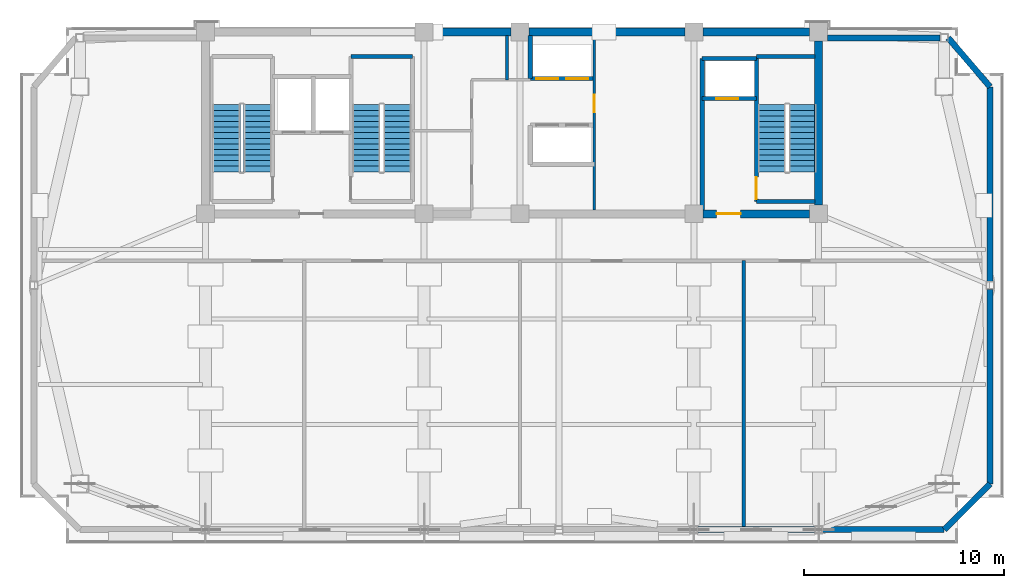
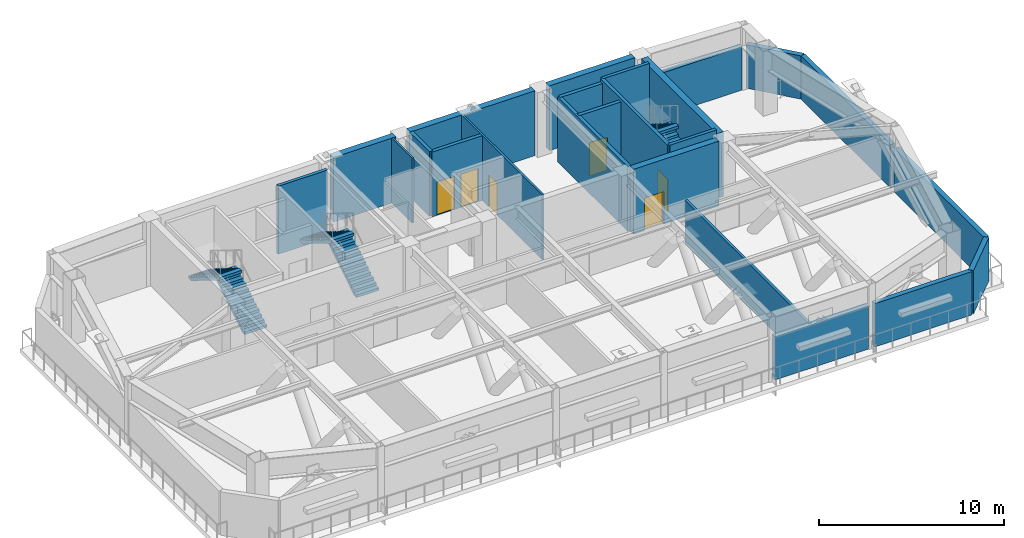
# One storey, part 4 of 7: 24 walls, 6 doors, 6 stair flights, 6 openings, 3 elements without a shape of their own.
"""IFC4 building model written with IfcOpenShell, lengths in metres."""

from ifc_helpers import new_model, si_unit, direction, frame, frame_2d, origin, place, context, subcontext, project, spatial, polyline, rectangle, outline, extrude, source, transform, mapped, material, layer, layer_set, type_object, element, fill, aggregate, save


model = new_model("IFC4")

# Units and contexts
model_context = context("Model", 3, precision=1e-05, world=origin(), true_north=direction((0.0, 1.0)))
body_context = subcontext(model_context, "Body", "Model", "MODEL_VIEW")
ifc_project = project(units=[si_unit("LENGTHUNIT", "METRE"), si_unit("AREAUNIT", "SQUARE_METRE"), si_unit("VOLUMEUNIT", "CUBIC_METRE"), si_unit("PLANEANGLEUNIT", "RADIAN"), si_unit("MASSUNIT", "GRAM", prefix="KILO")], contexts=[model_context])

# Site, building, storey
site_placement = place(None, origin())
site = spatial("IfcSite", under=ifc_project, at=site_placement, CompositionType="ELEMENT")
building_placement = place(site_placement, origin())
building = spatial("IfcBuilding", under=site, at=building_placement, Name="Giltprow Tower", CompositionType="ELEMENT")
storey_placement = place(building_placement, frame((0.0, 0.0, 327.800048828125)))
storey = spatial("IfcBuildingStorey", under=building, at=storey_placement, Name="L85", CompositionType="ELEMENT", Elevation=327.800048828125)

# Walls
ifc_material_1 = material(Name="Precast concrete C40", Category="concrete")
ifc_layer_1 = layer(ifc_material_1, 0.300048828125, Name="Precast concrete C40")
ifc_layer_set_1 = layer_set([ifc_layer_1], Name="Precast concrete C40")
wall_type_1 = type_object("IfcWallType", Name="EW-NOTCH-CHAMFER-300", PredefinedType="SOLIDWALL", material=ifc_layer_set_1)
wall_1_placement = place(storey_placement, frame((56.839111328125, 21.635986328125, 0.0), z_axis=(0.0, 0.0, 1.0), x_axis=(0.707106781187, 0.707106781187, 0.0)))
element("IfcWall", 1, at=wall_1_placement, inside=storey, type_object=wall_type_1, Name="L85 Corner Notch Wall SE", PredefinedType="SOLIDWALL", context=body_context, shape_type="SweptSolid", body=[
    extrude(rectangle(XDim=3.241455078125, YDim=0.300048828125, at=frame_2d((1.62060546875, 0.0))), origin(), (0.0, 0.0, 1.0), 2.864990234375),
])
wall_2_placement = place(storey_placement, frame((59.131103515625, 43.80810546875, 0.0), z_axis=(0.0, 0.0, 1.0), x_axis=(-0.650610025707, 0.759412005732, 0.0)))
element("IfcWall", 2, at=wall_2_placement, inside=storey, type_object=wall_type_1, Name="L85 Corner Notch Wall NE", PredefinedType="SOLIDWALL", context=body_context, shape_type="SweptSolid", body=[
    extrude(rectangle(XDim=3.215576171875, YDim=0.300048828125, at=frame_2d((1.60791015625, 0.0))), origin(), (0.0, 0.0, 1.0), 2.864990234375),
])
ifc_layer_2 = layer(ifc_material_1, 0.300048828125, Name="Precast concrete C40")
ifc_layer_set_2 = layer_set([ifc_layer_2], Name="Precast concrete C40")
wall_type_2 = type_object("IfcWallType", Name="EW-REF-LOUVRE-300", PredefinedType="SOLIDWALL", material=ifc_layer_set_2)
wall_3_placement = place(storey_placement, frame((44.5, 21.635986328125, 0.0), z_axis=(0.0, 0.0, 1.0), x_axis=(1.0, 0.0, 0.0)))
element("IfcWall", 3, at=wall_3_placement, inside=storey, type_object=wall_type_2, Name="L85 South Expressed Frame Wall 5", PredefinedType="SOLIDWALL", context=body_context, shape_type="SweptSolid", body=[
    extrude(rectangle(XDim=5.85009765625, YDim=0.300048828125, at=frame_2d((2.925048828125, 0.0))), origin(), (0.0, 0.0, 1.0), 2.864990234375),
])
wall_4_placement = place(storey_placement, frame((50.75, 21.635986328125, 0.0), z_axis=(0.0, 0.0, 1.0), x_axis=(1.0, 0.0, 0.0)))
element("IfcWall", 4, at=wall_4_placement, inside=storey, type_object=wall_type_2, Name="L85 South Expressed Frame Wall 6", PredefinedType="SOLIDWALL", context=body_context, shape_type="SweptSolid", body=[
    extrude(rectangle(XDim=6.089111328125, YDim=0.300048828125, at=frame_2d((3.04443359375, 0.0))), origin(), (0.0, 0.0, 1.0), 2.864990234375),
])
for number, where, z_axis, x_axis, name in (
    (5, (59.131103515625, 23.927978515625, 0.0), (0.0, 0.0, 1.0), (0.0, 1.0, 0.0), "L85 E Wing Masonry Wall 1"),
    (6, (59.131103515625, 34.068115234375, 0.0), (0.0, 0.0, 1.0), (0.0, 1.0, 0.0), "L85 E Wing Masonry Wall 2"),
):
    element("IfcWall", number, at=place(storey_placement, frame(where, z_axis=z_axis, x_axis=x_axis)), inside=storey, type_object=wall_type_2, Name=name, PredefinedType="SOLIDWALL", context=body_context, shape_type="SweptSolid", body=[
        extrude(rectangle(XDim=9.739990234375, YDim=0.300048828125, at=frame_2d((4.8701171875, 0.0))), origin(), (0.0, 0.0, 1.0), 2.864990234375),
    ])
wall_5_placement = place(storey_placement, frame((51.0, 46.25, 0.0), z_axis=(0.0, 0.0, 1.0), x_axis=(1.0, 0.0, 0.0)))
element("IfcWall", 7, at=wall_5_placement, inside=storey, type_object=wall_type_2, Name="L85 North-East Wing Wall", PredefinedType="SOLIDWALL", context=body_context, shape_type="SweptSolid", body=[
    extrude(rectangle(XDim=5.638916015625, YDim=0.300048828125, at=frame_2d((2.8193359375, 0.0))), origin(), (0.0, 0.0, 1.0), 2.864990234375),
])
ifc_material_2 = material(Name="Gypsum stud partition", Category="gypsum")
ifc_layer_3 = layer(ifc_material_2, 0.159912109375, Name="Gypsum stud partition")
ifc_layer_set_3 = layer_set([ifc_layer_3], Name="Gypsum stud partition")
wall_type_3 = type_object("IfcWallType", Name="IW-DEMISE-160", PredefinedType="PARTITIONING", material=ifc_layer_set_3)
wall_6_placement = place(storey_placement, frame((46.800048828125, 21.635986328125, 0.0), z_axis=(0.0, 0.0, 1.0), x_axis=(0.0, 1.0, 0.0)))
element("IfcWall", 8, at=wall_6_placement, inside=storey, type_object=wall_type_3, Name="L85 Refuge Compartment Wall 3", PredefinedType="PARTITIONING", context=body_context, shape_type="SweptSolid", body=[
    extrude(rectangle(XDim=13.464111328125, YDim=0.159912109375, at=frame_2d((6.73193359375, 0.0))), origin(), (0.0, 0.0, 1.0), 2.869873046875),
])

# Wall, opening, door
ifc_material_3 = material(Name="Concrete C40", Category="concrete")
ifc_layer_4 = layer(ifc_material_3, 0.219970703125, Name="Concrete C40")
ifc_layer_set_4 = layer_set([ifc_layer_4], Name="Concrete C40")
wall_type_4 = type_object("IfcWallType", Name="IW-SHAFT-220", PredefinedType="SOLIDWALL", material=ifc_layer_set_4)
wall_7_placement = place(storey_placement, frame((44.719970703125, 43.219970703125, 0.0), z_axis=(0.0, 0.0, 1.0), x_axis=(1.0, 0.0, 0.0)))
wall_7 = element("IfcWall", 9, at=wall_7_placement, inside=storey, type_object=wall_type_4, Name="L85 FFL2 Front Shaft Wall", PredefinedType="SOLIDWALL", context=body_context, shape_type="SweptSolid", body=[
    extrude(rectangle(XDim=2.719970703125, YDim=0.219970703125, at=frame_2d((1.35986328125, 0.0))), origin(), (0.0, 0.0, 1.0), 4.284912109375),
])
opening_1_placement = place(wall_7_placement, frame((0.699951171875, 0.0, 0.0)))
opening_1 = element("IfcOpeningElement", 10, at=opening_1_placement, cuts=wall_7, Name="Opening LD-11", PredefinedType="OPENING", context=body_context, shape_type="SweptSolid", body=[
    extrude(rectangle(XDim=1.10009765625, YDim=2.199951171875, at=frame_2d((0.550048828125, 1.10009765625))), frame((0.0, 0.119873046875, 0.0), z_axis=(0.0, -1.0, 0.0), x_axis=(1.0, 0.0, 0.0)), (0.0, 0.0, 1.0), 0.239990234375),
])
ifc_material_4 = material(Name="Stainless steel", Category="steel")
door_type_1 = type_object("IfcDoorType", Name="DR-LIFT-LD1100", OperationType="SLIDING_TO_LEFT", PredefinedType="DOOR", material=ifc_material_4)
shared_shape_1 = source(origin(), body_context, "Body", "SweptSolid", [
    extrude(rectangle(XDim=1.10009765625, YDim=2.199951171875, at=frame_2d((0.550048828125, 1.10009765625))), frame((0.0, 0.02490234375, 0.0), z_axis=(0.0, -1.0, 0.0), x_axis=(1.0, 0.0, 0.0)), (0.0, 0.0, 1.0), 0.050048828125),
])
door_1_placement = place(opening_1_placement, origin())
door_1 = element("IfcDoor", 11, at=door_1_placement, inside=storey, type_object=door_type_1, Name="L85 FFL2 Landing Door", OperationType="SLIDING_TO_LEFT", OverallHeight=2.199951171875, OverallWidth=1.10009765625, PredefinedType="DOOR", context=body_context, shape_type="MappedRepresentation", body=[
    mapped(shared_shape_1, transform((0.0, 0.0, 0.0), x_axis=(1.0, 0.0, 0.0), y_axis=(0.0, 1.0, 0.0), z_axis=(0.0, 0.0, 1.0), scale=1.0)),
])
fill(opening_1, door_1)

# Walls
wall_8_placement = place(storey_placement, frame((44.719970703125, 45.219970703125, 0.0), z_axis=(0.0, 0.0, 1.0), x_axis=(1.0, 0.0, 0.0)))
element("IfcWall", 12, at=wall_8_placement, inside=storey, type_object=wall_type_4, Name="L85 FFL2 Back Shaft Wall", PredefinedType="SOLIDWALL", context=body_context, shape_type="SweptSolid", body=[
    extrude(rectangle(XDim=2.719970703125, YDim=0.219970703125, at=frame_2d((1.35986328125, 0.0))), origin(), (0.0, 0.0, 1.0), 4.284912109375),
])
wall_9_placement = place(storey_placement, frame((44.719970703125, 37.6298828125, 0.0), z_axis=(0.0, 0.0, 1.0), x_axis=(0.0, 1.0, 0.0)))
element("IfcWall", 13, at=wall_9_placement, inside=storey, type_object=wall_type_4, Name="L85 East Firefighting Lobby West Wall", PredefinedType="SOLIDWALL", context=body_context, shape_type="SweptSolid", body=[
    extrude(rectangle(XDim=7.590087890625, YDim=0.219970703125, at=frame_2d((3.794921875, 0.0))), origin(), (0.0, 0.0, 1.0), 4.284912109375),
])

# Wall, openings, doors
wall_10_placement = place(storey_placement, frame((36.1201171875, 44.219970703125, 0.0), z_axis=(0.0, 0.0, 1.0), x_axis=(1.0, 0.0, 0.0)))
wall_10 = element("IfcWall", 14, at=wall_10_placement, inside=storey, type_object=wall_type_4, Name="L85 High-Rise Lift Shaft Front Wall N", PredefinedType="SOLIDWALL", context=body_context, shape_type="SweptSolid", body=[
    extrude(rectangle(XDim=3.199951171875, YDim=0.219970703125, at=frame_2d((1.60009765625, 0.0))), origin(), (0.0, 0.0, 1.0), 4.284912109375),
])
opening_2_placement = place(wall_10_placement, frame((0.300048828125, 0.0, 0.0)))
opening_2 = element("IfcOpeningElement", 15, at=opening_2_placement, cuts=wall_10, Name="Opening LD-11", PredefinedType="OPENING", context=body_context, shape_type="SweptSolid", body=[
    extrude(rectangle(XDim=1.10009765625, YDim=2.199951171875, at=frame_2d((0.550048828125, 1.10009765625))), frame((0.0, 0.119873046875, 0.0), z_axis=(0.0, -1.0, 0.0), x_axis=(1.0, 0.0, 0.0)), (0.0, 0.0, 1.0), 0.239990234375),
])
opening_3_placement = place(wall_10_placement, frame((1.7900390625, 0.0, 0.0)))
opening_3 = element("IfcOpeningElement", 16, at=opening_3_placement, cuts=wall_10, Name="Opening LD-11", PredefinedType="OPENING", context=body_context, shape_type="SweptSolid", body=[
    extrude(rectangle(XDim=1.10009765625, YDim=2.199951171875, at=frame_2d((0.550048828125, 1.10009765625))), frame((0.0, 0.119873046875, 0.0), z_axis=(0.0, -1.0, 0.0), x_axis=(1.0, 0.0, 0.0)), (0.0, 0.0, 1.0), 0.239990234375),
])
door_2_placement = place(opening_2_placement, origin())
door_2 = element("IfcDoor", 17, at=door_2_placement, inside=storey, type_object=door_type_1, Name="L85 PL-H1 Landing Door", OperationType="SLIDING_TO_LEFT", OverallHeight=2.199951171875, OverallWidth=1.10009765625, PredefinedType="DOOR", context=body_context, shape_type="MappedRepresentation", body=[
    mapped(shared_shape_1, transform((0.0, 0.0, 0.0), x_axis=(1.0, 0.0, 0.0), y_axis=(0.0, 1.0, 0.0), z_axis=(0.0, 0.0, 1.0), scale=1.0)),
])
fill(opening_2, door_2)
door_3_placement = place(opening_3_placement, origin())
door_3 = element("IfcDoor", 18, at=door_3_placement, inside=storey, type_object=door_type_1, Name="L85 PL-H2 Landing Door", OperationType="SLIDING_TO_LEFT", OverallHeight=2.199951171875, OverallWidth=1.10009765625, PredefinedType="DOOR", context=body_context, shape_type="MappedRepresentation", body=[
    mapped(shared_shape_1, transform((0.0, 0.0, 0.0), x_axis=(1.0, 0.0, 0.0), y_axis=(0.0, 1.0, 0.0), z_axis=(0.0, 0.0, 1.0), scale=1.0)),
])
fill(opening_3, door_3)

# Walls
wall_11_placement = place(storey_placement, frame((36.1201171875, 44.219970703125, 0.0), z_axis=(0.0, 0.0, 1.0), x_axis=(0.0, 1.0, 0.0)))
element("IfcWall", 19, at=wall_11_placement, inside=storey, type_object=wall_type_4, Name="L85 High-Rise North Lift West Closure", PredefinedType="SOLIDWALL", context=body_context, shape_type="SweptSolid", body=[
    extrude(rectangle(XDim=2.150146484375, YDim=0.219970703125, at=frame_2d((1.0751953125, 0.0))), origin(), (0.0, 0.0, 1.0), 4.284912109375),
])
ifc_layer_5 = layer(ifc_material_3, 0.199951171875, Name="Concrete C40")
ifc_layer_set_5 = layer_set([ifc_layer_5], Name="Concrete C40")
wall_type_5 = type_object("IfcWallType", Name="IW-STAIR-200", PredefinedType="SOLIDWALL", material=ifc_layer_set_5)
wall_12_placement = place(storey_placement, frame((27.139892578125, 45.320068359375, 0.0), z_axis=(0.0, 0.0, 1.0), x_axis=(1.0, 0.0, 0.0)))
element("IfcWall", 20, at=wall_12_placement, inside=storey, type_object=wall_type_5, Name="L85 Stair ST-2 North Bearing Wall", PredefinedType="SOLIDWALL", context=body_context, shape_type="SweptSolid", body=[
    extrude(rectangle(XDim=3.080078125, YDim=0.199951171875, at=frame_2d((1.5400390625, 0.0))), origin(), (0.0, 0.0, 1.0), 4.5),
])

# Wall, opening, door
wall_13_placement = place(storey_placement, frame((47.43994140625, 38.070068359375, 0.0), z_axis=(0.0, 0.0, 1.0), x_axis=(0.0, 1.0, 0.0)))
wall_13 = element("IfcWall", 21, at=wall_13_placement, inside=storey, type_object=wall_type_5, Name="L85 Stair ST-3 West Bearing Wall", PredefinedType="SOLIDWALL", context=body_context, shape_type="SweptSolid", body=[
    extrude(rectangle(XDim=7.25, YDim=0.199951171875, at=frame_2d((3.625, 0.0))), origin(), (0.0, 0.0, 1.0), 4.5),
])
opening_4_placement = place(wall_13_placement, frame((0.110107421875, 0.0, 0.0)))
opening_4 = element("IfcOpeningElement", 22, at=opening_4_placement, cuts=wall_13, Name="Opening ID33", PredefinedType="OPENING", context=body_context, shape_type="SweptSolid", body=[
    extrude(rectangle(XDim=1.10009765625, YDim=2.14990234375, at=frame_2d((0.550048828125, 1.074951171875))), frame((0.0, 0.10986328125, 0.0), z_axis=(0.0, -1.0, 0.0), x_axis=(1.0, 0.0, 0.0)), (0.0, 0.0, 1.0), 0.219970703125),
])
ifc_material_5 = material(Name="Steel fire leaf", Category="steel")
door_type_2 = type_object("IfcDoorType", Name="DR-STAIR-1100", OperationType="SINGLE_SWING_LEFT", PredefinedType="DOOR", material=ifc_material_5)
shared_shape_2 = source(origin(), body_context, "Body", "SweptSolid", [
    extrude(rectangle(XDim=1.10009765625, YDim=2.14990234375, at=frame_2d((0.550048828125, 1.074951171875))), frame((0.0, 0.02490234375, 0.0), z_axis=(0.0, -1.0, 0.0), x_axis=(1.0, 0.0, 0.0)), (0.0, 0.0, 1.0), 0.050048828125),
])
door_4_placement = place(opening_4_placement, origin())
door_4 = element("IfcDoor", 23, at=door_4_placement, inside=storey, type_object=door_type_2, Name="L85 Stair ST-3 Fire Door", OperationType="SINGLE_SWING_RIGHT", OverallHeight=2.14990234375, OverallWidth=1.10009765625, PredefinedType="DOOR", context=body_context, shape_type="MappedRepresentation", body=[
    mapped(shared_shape_2, transform((0.0, 0.0, 0.0), x_axis=(1.0, 0.0, 0.0), y_axis=(0.0, 1.0, 0.0), z_axis=(0.0, 0.0, 1.0), scale=1.0)),
])
fill(opening_4, door_4)

# Walls
for number, where, z_axis, x_axis, name in (
    (24, (47.43994140625, 45.320068359375, 0.0), (0.0, 0.0, 1.0), (1.0, 0.0, 0.0), "L85 Stair ST-3 North Bearing Wall"),
    (25, (47.43994140625, 38.070068359375, 0.0), (0.0, 0.0, 1.0), (1.0, 0.0, 0.0), "L85 Stair ST-3 South Bearing Wall"),
):
    element("IfcWall", number, at=place(storey_placement, frame(where, z_axis=z_axis, x_axis=x_axis)), inside=storey, type_object=wall_type_5, Name=name, PredefinedType="SOLIDWALL", context=body_context, shape_type="SweptSolid", body=[
        extrude(rectangle(XDim=2.93017578125, YDim=0.199951171875, at=frame_2d((1.465087890625, 0.0))), origin(), (0.0, 0.0, 1.0), 4.5),
    ])
ifc_material_6 = material(Name="Concrete C30", Category="concrete")
ifc_layer_6 = layer(ifc_material_6, 0.1298828125, Name="Concrete C30")
ifc_layer_set_6 = layer_set([ifc_layer_6], Name="Concrete C30")
wall_type_6 = type_object("IfcWallType", Name="IW-WET-130", PredefinedType="PARTITIONING", material=ifc_layer_set_6)
wall_14_placement = place(storey_placement, frame((34.949951171875, 44.14990234375, 0.0), z_axis=(0.0, 0.0, 1.0), x_axis=(0.0, 1.0, 0.0)))
element("IfcWall", 26, at=wall_14_placement, inside=storey, type_object=wall_type_6, Name="L85 Reclaimed West Pocket Wall E", PredefinedType="PARTITIONING", context=body_context, shape_type="SweptSolid", body=[
    extrude(rectangle(XDim=2.22021484375, YDim=0.1298828125, at=frame_2d((1.110107421875, 0.0))), origin(), (0.0, 0.0, 1.0), 4.284912109375),
])

# Wall, opening, door
wall_15_placement = place(storey_placement, frame((39.320068359375, 37.6298828125, 0.0), z_axis=(0.0, 0.0, 1.0), x_axis=(0.0, 1.0, 0.0)))
wall_15 = element("IfcWall", 27, at=wall_15_placement, inside=storey, type_object=wall_type_6, Name="L85 Reclaimed East Core Wall", PredefinedType="PARTITIONING", context=body_context, shape_type="SweptSolid", body=[
    extrude(rectangle(XDim=8.740234375, YDim=0.1298828125, at=frame_2d((4.3701171875, 0.0))), origin(), (0.0, 0.0, 1.0), 4.284912109375),
])
opening_5_placement = place(wall_15_placement, frame((4.889892578125, 0.0, 0.0)))
opening_5 = element("IfcOpeningElement", 28, at=opening_5_placement, cuts=wall_15, Name="Opening ID35", PredefinedType="OPENING", context=body_context, shape_type="SweptSolid", body=[
    extrude(rectangle(XDim=0.89990234375, YDim=2.10009765625, at=frame_2d((0.449951171875, 1.050048828125))), frame((0.0, 0.074951171875, 0.0), z_axis=(0.0, -1.0, 0.0), x_axis=(1.0, 0.0, 0.0)), (0.0, 0.0, 1.0), 0.14990234375),
])
door_type_3 = type_object("IfcDoorType", Name="DR-SHAFT-900", OperationType="SINGLE_SWING_LEFT", PredefinedType="DOOR", material=ifc_material_5)
shared_shape_3 = source(origin(), body_context, "Body", "SweptSolid", [
    extrude(rectangle(XDim=0.89990234375, YDim=2.10009765625, at=frame_2d((0.449951171875, 1.050048828125))), frame((0.0, 0.02490234375, 0.0), z_axis=(0.0, -1.0, 0.0), x_axis=(1.0, 0.0, 0.0)), (0.0, 0.0, 1.0), 0.050048828125),
])
door_5_placement = place(opening_5_placement, origin())
door_5 = element("IfcDoor", 29, at=door_5_placement, inside=storey, type_object=door_type_3, Name="L85 Core Cold Delivery Store Door", OperationType="SINGLE_SWING_LEFT", OverallHeight=2.10009765625, OverallWidth=0.89990234375, PredefinedType="DOOR", context=body_context, shape_type="MappedRepresentation", body=[
    mapped(shared_shape_3, transform((0.0, 0.0, 0.0), x_axis=(1.0, 0.0, 0.0), y_axis=(0.0, 1.0, 0.0), z_axis=(0.0, 0.0, 1.0), scale=1.0)),
])
fill(opening_5, door_5)

# Walls
ifc_material_7 = material(Name="Concrete C45", Category="concrete")
ifc_layer_7 = layer(ifc_material_7, 0.39990234375, Name="Concrete C45")
ifc_layer_set_7 = layer_set([ifc_layer_7], Name="Concrete C45")
wall_type_7 = type_object("IfcWallType", Name="SW-EXT-400-C45", PredefinedType="SHEAR", material=ifc_layer_set_7)
wall_16_placement = place(storey_placement, frame((31.25, 46.550048828125, 0.0), z_axis=(0.0, 0.0, 1.0), x_axis=(1.0, 0.0, 0.0)))
element("IfcWall", 30, at=wall_16_placement, inside=storey, type_object=wall_type_7, Name="L85 North Rear Core Shear Wall 2", PredefinedType="SHEAR", context=body_context, shape_type="SweptSolid", body=[
    extrude(rectangle(XDim=3.89990234375, YDim=0.39990234375, at=frame_2d((1.949951171875, 0.0))), origin(), (0.0, 0.0, 1.0), 4.284912109375),
])
wall_17_placement = place(storey_placement, frame((36.050048828125, 46.550048828125, 0.0), z_axis=(0.0, 0.0, 1.0), x_axis=(1.0, 0.0, 0.0)))
element("IfcWall", 31, at=wall_17_placement, inside=storey, type_object=wall_type_7, Name="L85 North Rear Core Shear Wall 3", PredefinedType="SHEAR", context=body_context, shape_type="SweptSolid", body=[
    extrude(rectangle(XDim=7.800048828125, YDim=0.39990234375, at=frame_2d((3.89990234375, 0.0))), origin(), (0.0, 0.0, 1.0), 4.284912109375),
])
wall_18_placement = place(storey_placement, frame((44.75, 46.550048828125, 0.0), z_axis=(0.0, 0.0, 1.0), x_axis=(1.0, 0.0, 0.0)))
element("IfcWall", 32, at=wall_18_placement, inside=storey, type_object=wall_type_7, Name="L85 North Rear Core Shear Wall 4", PredefinedType="SHEAR", context=body_context, shape_type="SweptSolid", body=[
    extrude(rectangle(XDim=5.35009765625, YDim=0.39990234375, at=frame_2d((2.675048828125, 0.0))), origin(), (0.0, 0.0, 1.0), 4.284912109375),
])

# Wall, opening, door
ifc_layer_8 = layer(ifc_material_7, 0.39990234375, Name="Concrete C45")
ifc_layer_set_8 = layer_set([ifc_layer_8], Name="Concrete C45")
wall_type_8 = type_object("IfcWallType", Name="SW-INT-400-C45", PredefinedType="SHEAR", material=ifc_layer_set_8)
wall_19_placement = place(storey_placement, frame((44.75, 37.449951171875, 0.0), z_axis=(0.0, 0.0, 1.0), x_axis=(1.0, 0.0, 0.0)))
wall_19 = element("IfcWall", 33, at=wall_19_placement, inside=storey, type_object=wall_type_8, Name="L85 South Rear Core Shear Wall East", PredefinedType="SHEAR", context=body_context, shape_type="SweptSolid", body=[
    extrude(rectangle(XDim=5.35009765625, YDim=0.39990234375, at=frame_2d((2.675048828125, 0.0))), origin(), (0.0, 0.0, 1.0), 4.284912109375),
])
opening_6_placement = place(wall_19_placement, frame((0.699951171875, 0.0, 0.0)))
opening_6 = element("IfcOpeningElement", 34, at=opening_6_placement, cuts=wall_19, Name="Opening ID19", PredefinedType="OPENING", context=body_context, shape_type="SweptSolid", body=[
    extrude(rectangle(XDim=1.199951171875, YDim=2.14990234375, at=frame_2d((0.60009765625, 1.074951171875))), frame((0.0, 0.2099609375, 0.0), z_axis=(0.0, -1.0, 0.0), x_axis=(1.0, 0.0, 0.0)), (0.0, 0.0, 1.0), 0.419921875),
])
door_type_4 = type_object("IfcDoorType", Name="DR-FFLOBBY-1200", OperationType="SINGLE_SWING_RIGHT", PredefinedType="DOOR", material=ifc_material_5)
shared_shape_4 = source(origin(), body_context, "Body", "SweptSolid", [
    extrude(rectangle(XDim=1.199951171875, YDim=2.14990234375, at=frame_2d((0.60009765625, 1.074951171875))), frame((0.0, 0.02490234375, 0.0), z_axis=(0.0, -1.0, 0.0), x_axis=(1.0, 0.0, 0.0)), (0.0, 0.0, 1.0), 0.050048828125),
])
door_6_placement = place(opening_6_placement, origin())
door_6 = element("IfcDoor", 35, at=door_6_placement, inside=storey, type_object=door_type_4, Name="L85 East Firefighting Lobby Entry Door", OperationType="SINGLE_SWING_RIGHT", OverallHeight=2.14990234375, OverallWidth=1.199951171875, PredefinedType="DOOR", context=body_context, shape_type="MappedRepresentation", body=[
    mapped(shared_shape_4, transform((0.0, 0.0, 0.0), x_axis=(1.0, 0.0, 0.0), y_axis=(0.0, 1.0, 0.0), z_axis=(0.0, 0.0, 1.0), scale=1.0)),
])
fill(opening_6, door_6)

# Wall
wall_20_placement = place(storey_placement, frame((50.550048828125, 37.89990234375, 0.0), z_axis=(0.0, 0.0, 1.0), x_axis=(0.0, 1.0, 0.0)))
element("IfcWall", 36, at=wall_20_placement, inside=storey, type_object=wall_type_8, Name="L85 E Rear Core Shear Wall", PredefinedType="SHEAR", context=body_context, shape_type="SweptSolid", body=[
    extrude(rectangle(XDim=8.2001953125, YDim=0.39990234375, at=frame_2d((4.10009765625, 0.0))), origin(), (0.0, 0.0, 1.0), 4.284912109375),
])

# Stair, stair flights
stair_type_1 = type_object("IfcStairType", Name="STR-ST-1", PredefinedType="HALF_TURN_STAIR", material=ifc_material_3)
stair_1_placement = place(storey_placement, origin())
stair_1 = element("IfcStair", 37, at=stair_1_placement, inside=storey, type_object=stair_type_1, Name="L85 Core Exit Stair ST-1", PredefinedType="HALF_TURN_STAIR")
stair_flight_type_1 = type_object("IfcStairFlightType", Name="SFL-ST-1", PredefinedType="STRAIGHT", material=ifc_material_3)
stair_flight_1_placement = place(storey_placement, frame((22.4599609375, 39.550048828125, 0.0), z_axis=(0.0, 0.0, 1.0), x_axis=(0.0, 1.0, 0.0)))
stair_flight_1 = element("IfcStairFlight", 38, at=stair_flight_1_placement, type_object=stair_flight_type_1, Name="ST-1 flight 1", NumberOfRisers=13, NumberOfTreads=12, PredefinedType="STRAIGHT", RiserHeight=0.173076923, TreadLength=0.28, context=body_context, shape_type="SweptSolid", body=[
    extrude(outline(polyline([(0.0, 0.0), (0.0, 0.173095703125), (0.280029296875, 0.173095703125), (0.280029296875, 0.34619140625), (0.56005859375, 0.34619140625), (0.56005859375, 0.519287109375), (0.840087890625, 0.519287109375), (0.840087890625, 0.6923828125), (1.1201171875, 0.6923828125), (1.1201171875, 0.865478515625), (1.39990234375, 0.865478515625), (1.39990234375, 1.03857421875), (1.679931640625, 1.03857421875), (1.679931640625, 1.21142578125), (1.9599609375, 1.21142578125), (1.9599609375, 1.384521484375), (2.239990234375, 1.384521484375), (2.239990234375, 1.5576171875), (2.52001953125, 1.5576171875), (2.52001953125, 1.730712890625), (2.800048828125, 1.730712890625), (2.800048828125, 1.90380859375), (3.080078125, 1.90380859375), (3.080078125, 2.076904296875), (3.360107421875, 2.076904296875), (3.360107421875, 2.25), (3.360107421875, 1.900634765625), (0.28515625, 0.0), (0.0, 0.0)])), frame((0.0, 0.699951171875, 0.0), z_axis=(0.0, -1.0, 0.0), x_axis=(1.0, 0.0, 0.0)), (0.0, 0.0, 1.0), 1.39990234375),
])
stair_flight_2_placement = place(storey_placement, frame((20.89990234375, 42.909912109375, 2.25), z_axis=(0.0, 0.0, 1.0), x_axis=(0.0, -1.0, 0.0)))
stair_flight_2 = element("IfcStairFlight", 39, at=stair_flight_2_placement, type_object=stair_flight_type_1, Name="ST-1 flight 2", NumberOfRisers=13, NumberOfTreads=12, PredefinedType="STRAIGHT", RiserHeight=0.173076923, TreadLength=0.28, context=body_context, shape_type="SweptSolid", body=[
    extrude(outline(polyline([(0.0, 0.0), (0.0, 0.173095703125), (0.280029296875, 0.173095703125), (0.280029296875, 0.34619140625), (0.56005859375, 0.34619140625), (0.56005859375, 0.519287109375), (0.840087890625, 0.519287109375), (0.840087890625, 0.6923828125), (1.1201171875, 0.6923828125), (1.1201171875, 0.865478515625), (1.39990234375, 0.865478515625), (1.39990234375, 1.03857421875), (1.679931640625, 1.03857421875), (1.679931640625, 1.21142578125), (1.9599609375, 1.21142578125), (1.9599609375, 1.384521484375), (2.239990234375, 1.384521484375), (2.239990234375, 1.5576171875), (2.52001953125, 1.5576171875), (2.52001953125, 1.730712890625), (2.800048828125, 1.730712890625), (2.800048828125, 1.90380859375), (3.080078125, 1.90380859375), (3.080078125, 2.076904296875), (3.360107421875, 2.076904296875), (3.360107421875, 2.25), (3.360107421875, 1.900634765625), (0.28515625, 0.0), (0.0, 0.0)])), frame((0.0, 0.699951171875, 0.0), z_axis=(0.0, -1.0, 0.0), x_axis=(1.0, 0.0, 0.0)), (0.0, 0.0, 1.0), 1.39990234375),
])
aggregate(stair_1, [stair_flight_1, stair_flight_2])

stair_type_2 = type_object("IfcStairType", Name="STR-ST-2", PredefinedType="HALF_TURN_STAIR", material=ifc_material_3)
stair_2_placement = place(storey_placement, origin())
stair_2 = element("IfcStair", 40, at=stair_2_placement, inside=storey, type_object=stair_type_2, Name="L85 Core Exit Stair ST-2", PredefinedType="HALF_TURN_STAIR")
stair_flight_type_2 = type_object("IfcStairFlightType", Name="SFL-ST-2", PredefinedType="STRAIGHT", material=ifc_material_3)
stair_flight_3_placement = place(storey_placement, frame((29.4599609375, 39.550048828125, 0.0), z_axis=(0.0, 0.0, 1.0), x_axis=(0.0, 1.0, 0.0)))
stair_flight_3 = element("IfcStairFlight", 41, at=stair_flight_3_placement, type_object=stair_flight_type_2, Name="ST-2 flight 1", NumberOfRisers=13, NumberOfTreads=12, PredefinedType="STRAIGHT", RiserHeight=0.173076923, TreadLength=0.28, context=body_context, shape_type="SweptSolid", body=[
    extrude(outline(polyline([(0.0, 0.0), (0.0, 0.173095703125), (0.280029296875, 0.173095703125), (0.280029296875, 0.34619140625), (0.56005859375, 0.34619140625), (0.56005859375, 0.519287109375), (0.840087890625, 0.519287109375), (0.840087890625, 0.6923828125), (1.1201171875, 0.6923828125), (1.1201171875, 0.865478515625), (1.39990234375, 0.865478515625), (1.39990234375, 1.03857421875), (1.679931640625, 1.03857421875), (1.679931640625, 1.21142578125), (1.9599609375, 1.21142578125), (1.9599609375, 1.384521484375), (2.239990234375, 1.384521484375), (2.239990234375, 1.5576171875), (2.52001953125, 1.5576171875), (2.52001953125, 1.730712890625), (2.800048828125, 1.730712890625), (2.800048828125, 1.90380859375), (3.080078125, 1.90380859375), (3.080078125, 2.076904296875), (3.360107421875, 2.076904296875), (3.360107421875, 2.25), (3.360107421875, 1.900634765625), (0.28515625, 0.0), (0.0, 0.0)])), frame((0.0, 0.699951171875, 0.0), z_axis=(0.0, -1.0, 0.0), x_axis=(1.0, 0.0, 0.0)), (0.0, 0.0, 1.0), 1.39990234375),
])
stair_flight_4_placement = place(storey_placement, frame((27.89990234375, 42.909912109375, 2.25), z_axis=(0.0, 0.0, 1.0), x_axis=(0.0, -1.0, 0.0)))
stair_flight_4 = element("IfcStairFlight", 42, at=stair_flight_4_placement, type_object=stair_flight_type_2, Name="ST-2 flight 2", NumberOfRisers=13, NumberOfTreads=12, PredefinedType="STRAIGHT", RiserHeight=0.173076923, TreadLength=0.28, context=body_context, shape_type="SweptSolid", body=[
    extrude(outline(polyline([(0.0, 0.0), (0.0, 0.173095703125), (0.280029296875, 0.173095703125), (0.280029296875, 0.34619140625), (0.56005859375, 0.34619140625), (0.56005859375, 0.519287109375), (0.840087890625, 0.519287109375), (0.840087890625, 0.6923828125), (1.1201171875, 0.6923828125), (1.1201171875, 0.865478515625), (1.39990234375, 0.865478515625), (1.39990234375, 1.03857421875), (1.679931640625, 1.03857421875), (1.679931640625, 1.21142578125), (1.9599609375, 1.21142578125), (1.9599609375, 1.384521484375), (2.239990234375, 1.384521484375), (2.239990234375, 1.5576171875), (2.52001953125, 1.5576171875), (2.52001953125, 1.730712890625), (2.800048828125, 1.730712890625), (2.800048828125, 1.90380859375), (3.080078125, 1.90380859375), (3.080078125, 2.076904296875), (3.360107421875, 2.076904296875), (3.360107421875, 2.25), (3.360107421875, 1.900634765625), (0.28515625, 0.0), (0.0, 0.0)])), frame((0.0, 0.699951171875, 0.0), z_axis=(0.0, -1.0, 0.0), x_axis=(1.0, 0.0, 0.0)), (0.0, 0.0, 1.0), 1.39990234375),
])
aggregate(stair_2, [stair_flight_3, stair_flight_4])

stair_type_3 = type_object("IfcStairType", Name="STR-ST-3", PredefinedType="HALF_TURN_STAIR", material=ifc_material_3)
stair_3_placement = place(storey_placement, origin())
stair_3 = element("IfcStair", 43, at=stair_3_placement, inside=storey, type_object=stair_type_3, Name="L85 Core Exit Stair ST-3", PredefinedType="HALF_TURN_STAIR")
stair_flight_type_3 = type_object("IfcStairFlightType", Name="SFL-ST-3", PredefinedType="STRAIGHT", material=ifc_material_3)
stair_flight_5_placement = place(storey_placement, frame((49.760009765625, 39.550048828125, 0.0), z_axis=(0.0, 0.0, 1.0), x_axis=(0.0, 1.0, 0.0)))
stair_flight_5 = element("IfcStairFlight", 44, at=stair_flight_5_placement, type_object=stair_flight_type_3, Name="ST-3 flight 1", NumberOfRisers=13, NumberOfTreads=12, PredefinedType="STRAIGHT", RiserHeight=0.173076923, TreadLength=0.28, context=body_context, shape_type="SweptSolid", body=[
    extrude(outline(polyline([(0.0, 0.0), (0.0, 0.173095703125), (0.280029296875, 0.173095703125), (0.280029296875, 0.34619140625), (0.56005859375, 0.34619140625), (0.56005859375, 0.519287109375), (0.840087890625, 0.519287109375), (0.840087890625, 0.6923828125), (1.1201171875, 0.6923828125), (1.1201171875, 0.865478515625), (1.39990234375, 0.865478515625), (1.39990234375, 1.03857421875), (1.679931640625, 1.03857421875), (1.679931640625, 1.21142578125), (1.9599609375, 1.21142578125), (1.9599609375, 1.384521484375), (2.239990234375, 1.384521484375), (2.239990234375, 1.5576171875), (2.52001953125, 1.5576171875), (2.52001953125, 1.730712890625), (2.800048828125, 1.730712890625), (2.800048828125, 1.90380859375), (3.080078125, 1.90380859375), (3.080078125, 2.076904296875), (3.360107421875, 2.076904296875), (3.360107421875, 2.25), (3.360107421875, 1.900634765625), (0.28515625, 0.0), (0.0, 0.0)])), frame((0.0, 0.699951171875, 0.0), z_axis=(0.0, -1.0, 0.0), x_axis=(1.0, 0.0, 0.0)), (0.0, 0.0, 1.0), 1.39990234375),
])
stair_flight_6_placement = place(storey_placement, frame((48.199951171875, 42.909912109375, 2.25), z_axis=(0.0, 0.0, 1.0), x_axis=(0.0, -1.0, 0.0)))
stair_flight_6 = element("IfcStairFlight", 45, at=stair_flight_6_placement, type_object=stair_flight_type_3, Name="ST-3 flight 2", NumberOfRisers=13, NumberOfTreads=12, PredefinedType="STRAIGHT", RiserHeight=0.173076923, TreadLength=0.28, context=body_context, shape_type="SweptSolid", body=[
    extrude(outline(polyline([(0.0, 0.0), (0.0, 0.173095703125), (0.280029296875, 0.173095703125), (0.280029296875, 0.34619140625), (0.56005859375, 0.34619140625), (0.56005859375, 0.519287109375), (0.840087890625, 0.519287109375), (0.840087890625, 0.6923828125), (1.1201171875, 0.6923828125), (1.1201171875, 0.865478515625), (1.39990234375, 0.865478515625), (1.39990234375, 1.03857421875), (1.679931640625, 1.03857421875), (1.679931640625, 1.21142578125), (1.9599609375, 1.21142578125), (1.9599609375, 1.384521484375), (2.239990234375, 1.384521484375), (2.239990234375, 1.5576171875), (2.52001953125, 1.5576171875), (2.52001953125, 1.730712890625), (2.800048828125, 1.730712890625), (2.800048828125, 1.90380859375), (3.080078125, 1.90380859375), (3.080078125, 2.076904296875), (3.360107421875, 2.076904296875), (3.360107421875, 2.25), (3.360107421875, 1.900634765625), (0.28515625, 0.0), (0.0, 0.0)])), frame((0.0, 0.699951171875, 0.0), z_axis=(0.0, -1.0, 0.0), x_axis=(1.0, 0.0, 0.0)), (0.0, 0.0, 1.0), 1.39990234375),
])
aggregate(stair_3, [stair_flight_5, stair_flight_6])

save(model, "model.ifc")
